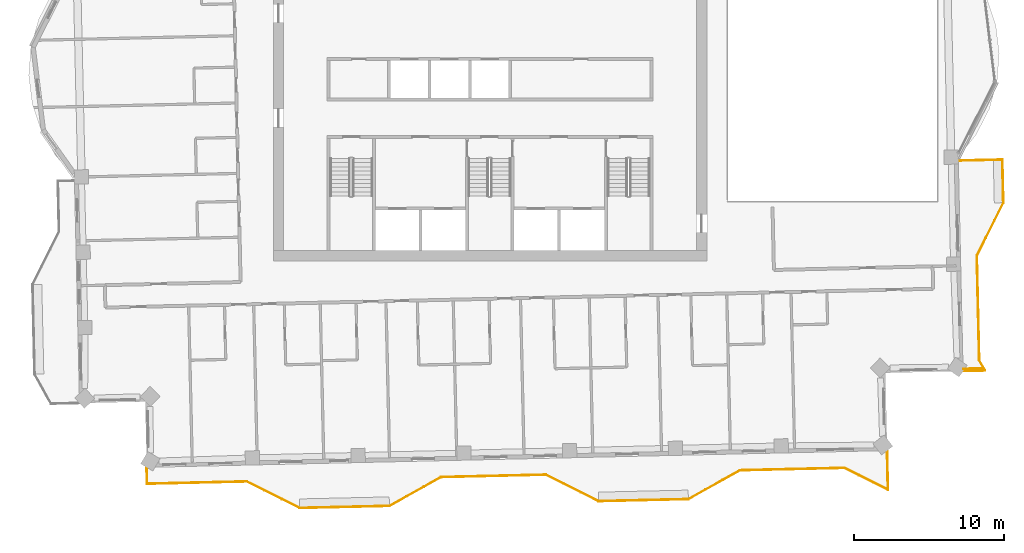
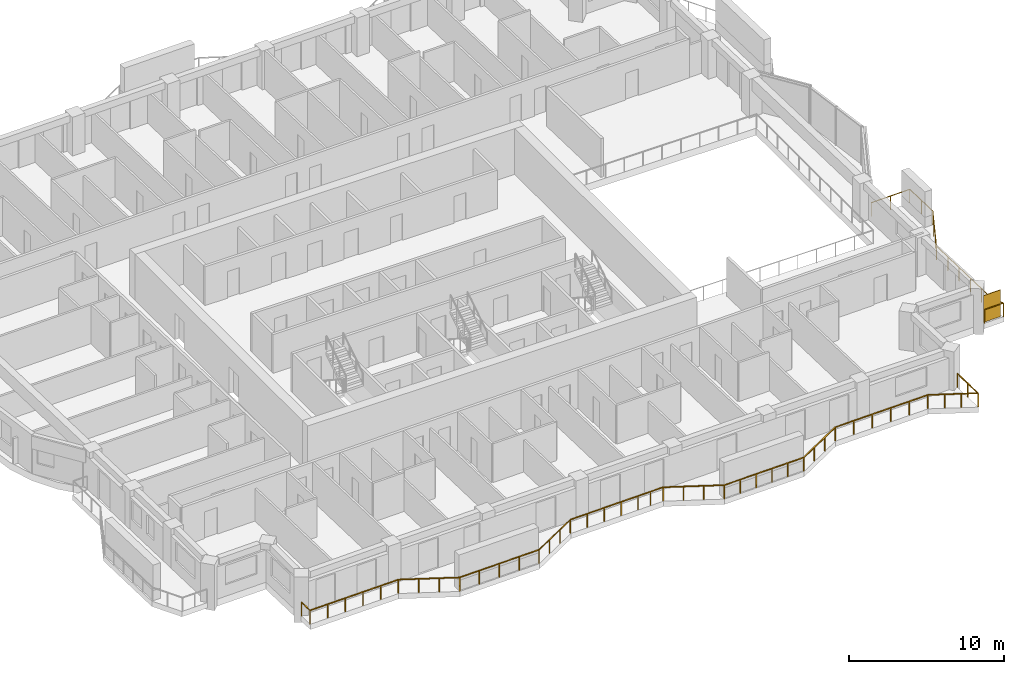
# One storey, part 16 of 18: 2 railings, 1 shading device.
"""IFC4 building model written with IfcOpenShell, lengths in metres."""

from ifc_helpers import new_model, si_unit, direction, frame, origin, origin_2d, place, context, subcontext, project, spatial, rectangle, extrude, material, type_object, element, save


model = new_model("IFC4")

# Units and contexts
model_context = context("Model", 3, precision=1e-05, world=origin(), true_north=direction((0.0, 1.0)))
body_context = subcontext(model_context, "Body", "Model", "MODEL_VIEW")
ifc_project = project(units=[si_unit("LENGTHUNIT", "METRE"), si_unit("AREAUNIT", "SQUARE_METRE"), si_unit("VOLUMEUNIT", "CUBIC_METRE"), si_unit("PLANEANGLEUNIT", "RADIAN"), si_unit("MASSUNIT", "GRAM", prefix="KILO")], contexts=[model_context])

# Site, building, storey
site_placement = place(None, origin())
site = spatial("IfcSite", under=ifc_project, at=site_placement, CompositionType="ELEMENT")
building_placement = place(site_placement, origin())
building = spatial("IfcBuilding", under=site, at=building_placement, Name="Mangrove Gate Tower", CompositionType="ELEMENT")
storey_placement = place(building_placement, frame((0.0, 0.0, 290.699951171875)))
storey = spatial("IfcBuildingStorey", under=building, at=storey_placement, Name="L74", CompositionType="ELEMENT", Elevation=290.699951171875)

# Railings
ifc_material_1 = material(Name="Stainless steel grade 316 with laminated glass infill", Category="steel")
railing_type = type_object("IfcRailingType", Name="Balcony guard 1100", PredefinedType="GUARDRAIL", material=ifc_material_1)
railing_1_placement = place(storey_placement, frame((31.680908203125, -18.873046875, 0.0)))
element("IfcRailing", 1, at=railing_1_placement, inside=storey, type_object=railing_type, Name="GUARD L74 E1", PredefinedType="GUARDRAIL", context=body_context, shape_type="SweptSolid", body=[
    extrude(rectangle(XDim=0.048095703125, YDim=0.048095703125, at=origin_2d()), frame((0.0, 0.0, 1.076171875), z_axis=(0.99973456031, 0.023039290823, 0.0), x_axis=(-0.023039290823, 0.99973456031, 0.0)), (0.0, 0.0, 1.0), 1.4306640625),
    extrude(rectangle(XDim=0.048095703125, YDim=0.048095703125, at=origin_2d()), frame((1.43017578125, 0.032958984375, 1.076171875), z_axis=(-0.487579417205, 0.873078640168, 0.0), x_axis=(-0.873078640168, -0.487579417205, 0.0)), (0.0, 0.0, 1.0), 0.791748046875),
    extrude(rectangle(XDim=0.048095703125, YDim=0.048095703125, at=origin_2d()), frame((1.044189453125, 0.72412109375, 1.076171875), z_axis=(-0.022740419861, 0.999741403216, 0.0), x_axis=(-0.999741403216, -0.022740419861, 0.0)), (0.0, 0.0, 1.0), 6.999755859375),
    extrude(rectangle(XDim=0.048095703125, YDim=0.048095703125, at=origin_2d()), frame((0.885009765625, 7.72216796875, 1.076171875), z_axis=(0.447139584658, 0.894464192593, 0.0), x_axis=(-0.894464192593, 0.447139584658, 0.0)), (0.0, 0.0, 1.0), 3.95849609375),
    extrude(rectangle(XDim=0.048095703125, YDim=0.048095703125, at=origin_2d()), frame((2.655029296875, 11.262939453125, 1.076171875), z_axis=(-0.022590224177, 0.999744808324, 0.0), x_axis=(-0.999744808324, -0.022590224177, 0.0)), (0.0, 0.0, 1.0), 2.874755859375),
    extrude(rectangle(XDim=0.048095703125, YDim=0.048095703125, at=origin_2d()), frame((2.590087890625, 14.136962890625, 1.076171875), z_axis=(-0.999743349437, -0.022654696127, 0.0), x_axis=(0.022654696127, -0.999743349437, 0.0)), (0.0, 0.0, 1.0), 2.90966796875),
    extrude(rectangle(XDim=0.0419921875, YDim=0.0419921875, at=origin_2d()), origin(), (0.0, 0.0, 1.0), 1.052001953125),
    extrude(rectangle(XDim=0.0419921875, YDim=0.0419921875, at=origin_2d()), frame((1.43017578125, 0.032958984375, 0.0)), (0.0, 0.0, 1.0), 1.052001953125),
    extrude(rectangle(XDim=0.0419921875, YDim=0.0419921875, at=origin_2d()), frame((1.044189453125, 0.72412109375, 0.0)), (0.0, 0.0, 1.0), 1.052001953125),
    extrude(rectangle(XDim=0.0419921875, YDim=0.0419921875, at=origin_2d()), frame((1.012451171875, 2.123779296875, 0.0)), (0.0, 0.0, 1.0), 1.052001953125),
    extrude(rectangle(XDim=0.0419921875, YDim=0.0419921875, at=origin_2d()), frame((0.98046875, 3.5234375, 0.0)), (0.0, 0.0, 1.0), 1.052001953125),
    extrude(rectangle(XDim=0.0419921875, YDim=0.0419921875, at=origin_2d()), frame((0.94873046875, 4.9228515625, 0.0)), (0.0, 0.0, 1.0), 1.052001953125),
    extrude(rectangle(XDim=0.0419921875, YDim=0.0419921875, at=origin_2d()), frame((0.916748046875, 6.322509765625, 0.0)), (0.0, 0.0, 1.0), 1.052001953125),
    extrude(rectangle(XDim=0.0419921875, YDim=0.0419921875, at=origin_2d()), frame((0.885009765625, 7.72216796875, 0.0)), (0.0, 0.0, 1.0), 1.052001953125),
    extrude(rectangle(XDim=0.0419921875, YDim=0.0419921875, at=origin_2d()), frame((1.47509765625, 8.90234375, 0.0)), (0.0, 0.0, 1.0), 1.052001953125),
    extrude(rectangle(XDim=0.0419921875, YDim=0.0419921875, at=origin_2d()), frame((2.06494140625, 10.082763671875, 0.0)), (0.0, 0.0, 1.0), 1.052001953125),
    extrude(rectangle(XDim=0.0419921875, YDim=0.0419921875, at=origin_2d()), frame((2.655029296875, 11.262939453125, 0.0)), (0.0, 0.0, 1.0), 1.052001953125),
    extrude(rectangle(XDim=0.0419921875, YDim=0.0419921875, at=origin_2d()), frame((2.62255859375, 12.699951171875, 0.0)), (0.0, 0.0, 1.0), 1.052001953125),
    extrude(rectangle(XDim=0.0419921875, YDim=0.0419921875, at=origin_2d()), frame((2.590087890625, 14.136962890625, 0.0)), (0.0, 0.0, 1.0), 1.052001953125),
    extrude(rectangle(XDim=0.0419921875, YDim=0.0419921875, at=origin_2d()), frame((1.1357421875, 14.10400390625, 0.0)), (0.0, 0.0, 1.0), 1.052001953125),
    extrude(rectangle(XDim=0.0419921875, YDim=0.0419921875, at=origin_2d()), frame((-0.31884765625, 14.071044921875, 0.0)), (0.0, 0.0, 1.0), 1.052001953125),
])
railing_2_placement = place(storey_placement, frame((-22.9619140625, -25.35400390625, 0.0)))
element("IfcRailing", 2, at=railing_2_placement, inside=storey, type_object=railing_type, Name="GUARD L74 S1", PredefinedType="GUARDRAIL", context=body_context, shape_type="SweptSolid", body=[
    extrude(rectangle(XDim=0.048095703125, YDim=0.048095703125, at=origin_2d()), frame((0.0, 0.0, 1.076171875), z_axis=(0.022564497502, -0.999745389313, 0.0), x_axis=(0.999745389313, 0.022564497502, 0.0)), (0.0, 0.0, 1.0), 1.060302734375),
    extrude(rectangle(XDim=0.048095703125, YDim=0.048095703125, at=origin_2d()), frame((0.02392578125, -1.06005859375, 1.076171875), z_axis=(0.999743194574, 0.022661529129, 0.0), x_axis=(-0.022661529129, 0.999743194574, 0.0)), (0.0, 0.0, 1.0), 6.668701171875),
    extrude(rectangle(XDim=0.048095703125, YDim=0.048095703125, at=origin_2d()), frame((6.69091796875, -0.908935546875, 1.076171875), z_axis=(0.894476522376, -0.447114919141, 0.0), x_axis=(0.447114919141, 0.894476522376, 0.0)), (0.0, 0.0, 1.0), 3.958740234375),
    extrude(rectangle(XDim=0.048095703125, YDim=0.048095703125, at=origin_2d()), frame((10.23193359375, -2.678955078125, 1.076171875), z_axis=(0.999743094499, 0.022665943652, 0.0), x_axis=(-0.022665943652, 0.999743094499, 0.0)), (0.0, 0.0, 1.0), 5.99951171875),
    extrude(rectangle(XDim=0.048095703125, YDim=0.048095703125, at=origin_2d()), frame((16.22998046875, -2.54296875, 1.076171875), z_axis=(0.87325689943, 0.48726008209, 0.0), x_axis=(-0.48726008209, 0.87325689943, 0.0)), (0.0, 0.0, 1.0), 3.958740234375),
    extrude(rectangle(XDim=0.048095703125, YDim=0.048095703125, at=origin_2d()), frame((19.68701171875, -0.614013671875, 1.076171875), z_axis=(0.999741464718, 0.02273771586, 0.0), x_axis=(-0.02273771586, 0.999741464718, 0.0)), (0.0, 0.0, 1.0), 5.10009765625),
    extrude(rectangle(XDim=0.048095703125, YDim=0.048095703125, at=origin_2d()), frame((24.785888671875, -0.498046875, 1.076171875), z_axis=(0.999744086778, 0.022622134131, 0.0), x_axis=(-0.022622134131, 0.999744086778, 0.0)), (0.0, 0.0, 1.0), 1.8994140625),
    extrude(rectangle(XDim=0.048095703125, YDim=0.048095703125, at=origin_2d()), frame((26.684814453125, -0.455078125, 1.076171875), z_axis=(0.894476522376, -0.447114919141, 0.0), x_axis=(0.447114919141, 0.894476522376, 0.0)), (0.0, 0.0, 1.0), 3.958740234375),
    extrude(rectangle(XDim=0.048095703125, YDim=0.048095703125, at=origin_2d()), frame((30.225830078125, -2.22509765625, 1.076171875), z_axis=(0.999743178102, 0.022662255828, 0.0), x_axis=(-0.022662255828, 0.999743178102, 0.0)), (0.0, 0.0, 1.0), 6.00048828125),
    extrude(rectangle(XDim=0.048095703125, YDim=0.048095703125, at=origin_2d()), frame((36.224853515625, -2.089111328125, 1.076171875), z_axis=(0.873230657876, 0.487307108654, 0.0), x_axis=(-0.487307108654, 0.873230657876, 0.0)), (0.0, 0.0, 1.0), 3.958984375),
    extrude(rectangle(XDim=0.048095703125, YDim=0.048095703125, at=origin_2d()), frame((39.681884765625, -0.159912109375, 1.076171875), z_axis=(0.999742195543, 0.022705559911, 0.0), x_axis=(-0.022705559911, 0.999742195543, 0.0)), (0.0, 0.0, 1.0), 6.999755859375),
    extrude(rectangle(XDim=0.048095703125, YDim=0.048095703125, at=origin_2d()), frame((46.679931640625, -0.0009765625, 1.076171875), z_axis=(0.894442239576, -0.447183497081, 0.0), x_axis=(0.447183497081, 0.894442239576, 0.0)), (0.0, 0.0, 1.0), 3.24462890625),
    extrude(rectangle(XDim=0.048095703125, YDim=0.048095703125, at=origin_2d()), frame((49.58203125, -1.451904296875, 1.076171875), z_axis=(-0.022551366995, 0.999745685585, 0.0), x_axis=(-0.999745685585, -0.022551366995, 0.0)), (0.0, 0.0, 1.0), 2.57666015625),
    extrude(rectangle(XDim=0.0419921875, YDim=0.0419921875, at=origin_2d()), origin(), (0.0, 0.0, 1.0), 1.052001953125),
    extrude(rectangle(XDim=0.0419921875, YDim=0.0419921875, at=origin_2d()), frame((0.02392578125, -1.06005859375, 0.0)), (0.0, 0.0, 1.0), 1.052001953125),
    extrude(rectangle(XDim=0.0419921875, YDim=0.0419921875, at=origin_2d()), frame((1.357421875, -1.02978515625, 0.0)), (0.0, 0.0, 1.0), 1.052001953125),
    extrude(rectangle(XDim=0.0419921875, YDim=0.0419921875, at=origin_2d()), frame((2.690673828125, -0.99951171875, 0.0)), (0.0, 0.0, 1.0), 1.052001953125),
    extrude(rectangle(XDim=0.0419921875, YDim=0.0419921875, at=origin_2d()), frame((4.024169921875, -0.969482421875, 0.0)), (0.0, 0.0, 1.0), 1.052001953125),
    extrude(rectangle(XDim=0.0419921875, YDim=0.0419921875, at=origin_2d()), frame((5.357421875, -0.939208984375, 0.0)), (0.0, 0.0, 1.0), 1.052001953125),
    extrude(rectangle(XDim=0.0419921875, YDim=0.0419921875, at=origin_2d()), frame((6.69091796875, -0.908935546875, 0.0)), (0.0, 0.0, 1.0), 1.052001953125),
    extrude(rectangle(XDim=0.0419921875, YDim=0.0419921875, at=origin_2d()), frame((7.871337890625, -1.4990234375, 0.0)), (0.0, 0.0, 1.0), 1.052001953125),
    extrude(rectangle(XDim=0.0419921875, YDim=0.0419921875, at=origin_2d()), frame((9.051513671875, -2.0888671875, 0.0)), (0.0, 0.0, 1.0), 1.052001953125),
    extrude(rectangle(XDim=0.0419921875, YDim=0.0419921875, at=origin_2d()), frame((10.23193359375, -2.678955078125, 0.0)), (0.0, 0.0, 1.0), 1.052001953125),
    extrude(rectangle(XDim=0.0419921875, YDim=0.0419921875, at=origin_2d()), frame((11.7314453125, -2.64501953125, 0.0)), (0.0, 0.0, 1.0), 1.052001953125),
    extrude(rectangle(XDim=0.0419921875, YDim=0.0419921875, at=origin_2d()), frame((13.23095703125, -2.61083984375, 0.0)), (0.0, 0.0, 1.0), 1.052001953125),
    extrude(rectangle(XDim=0.0419921875, YDim=0.0419921875, at=origin_2d()), frame((14.73046875, -2.576904296875, 0.0)), (0.0, 0.0, 1.0), 1.052001953125),
    extrude(rectangle(XDim=0.0419921875, YDim=0.0419921875, at=origin_2d()), frame((16.22998046875, -2.54296875, 0.0)), (0.0, 0.0, 1.0), 1.052001953125),
    extrude(rectangle(XDim=0.0419921875, YDim=0.0419921875, at=origin_2d()), frame((17.38232421875, -1.89990234375, 0.0)), (0.0, 0.0, 1.0), 1.052001953125),
    extrude(rectangle(XDim=0.0419921875, YDim=0.0419921875, at=origin_2d()), frame((18.53466796875, -1.257080078125, 0.0)), (0.0, 0.0, 1.0), 1.052001953125),
    extrude(rectangle(XDim=0.0419921875, YDim=0.0419921875, at=origin_2d()), frame((19.68701171875, -0.614013671875, 0.0)), (0.0, 0.0, 1.0), 1.052001953125),
    extrude(rectangle(XDim=0.0419921875, YDim=0.0419921875, at=origin_2d()), frame((20.961669921875, -0.5849609375, 0.0)), (0.0, 0.0, 1.0), 1.052001953125),
    extrude(rectangle(XDim=0.0419921875, YDim=0.0419921875, at=origin_2d()), frame((22.236328125, -0.55615234375, 0.0)), (0.0, 0.0, 1.0), 1.052001953125),
    extrude(rectangle(XDim=0.0419921875, YDim=0.0419921875, at=origin_2d()), frame((23.51123046875, -0.527099609375, 0.0)), (0.0, 0.0, 1.0), 1.052001953125),
    extrude(rectangle(XDim=0.0419921875, YDim=0.0419921875, at=origin_2d()), frame((24.785888671875, -0.498046875, 0.0)), (0.0, 0.0, 1.0), 1.052001953125),
    extrude(rectangle(XDim=0.0419921875, YDim=0.0419921875, at=origin_2d()), frame((25.7353515625, -0.4765625, 0.0)), (0.0, 0.0, 1.0), 1.052001953125),
    extrude(rectangle(XDim=0.0419921875, YDim=0.0419921875, at=origin_2d()), frame((26.684814453125, -0.455078125, 0.0)), (0.0, 0.0, 1.0), 1.052001953125),
    extrude(rectangle(XDim=0.0419921875, YDim=0.0419921875, at=origin_2d()), frame((27.865234375, -1.045166015625, 0.0)), (0.0, 0.0, 1.0), 1.052001953125),
    extrude(rectangle(XDim=0.0419921875, YDim=0.0419921875, at=origin_2d()), frame((29.04541015625, -1.635009765625, 0.0)), (0.0, 0.0, 1.0), 1.052001953125),
    extrude(rectangle(XDim=0.0419921875, YDim=0.0419921875, at=origin_2d()), frame((30.225830078125, -2.22509765625, 0.0)), (0.0, 0.0, 1.0), 1.052001953125),
    extrude(rectangle(XDim=0.0419921875, YDim=0.0419921875, at=origin_2d()), frame((31.425537109375, -2.197998046875, 0.0)), (0.0, 0.0, 1.0), 1.052001953125),
    extrude(rectangle(XDim=0.0419921875, YDim=0.0419921875, at=origin_2d()), frame((32.62548828125, -2.170654296875, 0.0)), (0.0, 0.0, 1.0), 1.052001953125),
    extrude(rectangle(XDim=0.0419921875, YDim=0.0419921875, at=origin_2d()), frame((33.8251953125, -2.1435546875, 0.0)), (0.0, 0.0, 1.0), 1.052001953125),
    extrude(rectangle(XDim=0.0419921875, YDim=0.0419921875, at=origin_2d()), frame((35.025146484375, -2.1162109375, 0.0)), (0.0, 0.0, 1.0), 1.052001953125),
    extrude(rectangle(XDim=0.0419921875, YDim=0.0419921875, at=origin_2d()), frame((36.224853515625, -2.089111328125, 0.0)), (0.0, 0.0, 1.0), 1.052001953125),
    extrude(rectangle(XDim=0.0419921875, YDim=0.0419921875, at=origin_2d()), frame((37.377197265625, -1.446044921875, 0.0)), (0.0, 0.0, 1.0), 1.052001953125),
    extrude(rectangle(XDim=0.0419921875, YDim=0.0419921875, at=origin_2d()), frame((38.529541015625, -0.802978515625, 0.0)), (0.0, 0.0, 1.0), 1.052001953125),
    extrude(rectangle(XDim=0.0419921875, YDim=0.0419921875, at=origin_2d()), frame((39.681884765625, -0.159912109375, 0.0)), (0.0, 0.0, 1.0), 1.052001953125),
    extrude(rectangle(XDim=0.0419921875, YDim=0.0419921875, at=origin_2d()), frame((41.08154296875, -0.128173828125, 0.0)), (0.0, 0.0, 1.0), 1.052001953125),
    extrude(rectangle(XDim=0.0419921875, YDim=0.0419921875, at=origin_2d()), frame((42.481201171875, -0.096435546875, 0.0)), (0.0, 0.0, 1.0), 1.052001953125),
    extrude(rectangle(XDim=0.0419921875, YDim=0.0419921875, at=origin_2d()), frame((43.880615234375, -0.064453125, 0.0)), (0.0, 0.0, 1.0), 1.052001953125),
    extrude(rectangle(XDim=0.0419921875, YDim=0.0419921875, at=origin_2d()), frame((45.2802734375, -0.03271484375, 0.0)), (0.0, 0.0, 1.0), 1.052001953125),
    extrude(rectangle(XDim=0.0419921875, YDim=0.0419921875, at=origin_2d()), frame((46.679931640625, -0.0009765625, 0.0)), (0.0, 0.0, 1.0), 1.052001953125),
    extrude(rectangle(XDim=0.0419921875, YDim=0.0419921875, at=origin_2d()), frame((47.647216796875, -0.484619140625, 0.0)), (0.0, 0.0, 1.0), 1.052001953125),
    extrude(rectangle(XDim=0.0419921875, YDim=0.0419921875, at=origin_2d()), frame((48.61474609375, -0.96826171875, 0.0)), (0.0, 0.0, 1.0), 1.052001953125),
    extrude(rectangle(XDim=0.0419921875, YDim=0.0419921875, at=origin_2d()), frame((49.58203125, -1.451904296875, 0.0)), (0.0, 0.0, 1.0), 1.052001953125),
    extrude(rectangle(XDim=0.0419921875, YDim=0.0419921875, at=origin_2d()), frame((49.552978515625, -0.1640625, 0.0)), (0.0, 0.0, 1.0), 1.052001953125),
    extrude(rectangle(XDim=0.0419921875, YDim=0.0419921875, at=origin_2d()), frame((49.52392578125, 1.1240234375, 0.0)), (0.0, 0.0, 1.0), 1.052001953125),
])

# Shading device
ifc_material_2 = material(Name="Timber slat screen in teak", Category="wood")
shading_device_type = type_object("IfcShadingDeviceType", Name="Balcony screen 2100", PredefinedType="USERDEFINED", material=ifc_material_2)
shading_device_placement = place(storey_placement, frame((32.31298828125, -18.718017578125, 0.0), z_axis=(0.0, 0.0, 1.0), x_axis=(0.999731402821, 0.02317589725, 0.0)))
element("IfcShadingDevice", 3, at=shading_device_placement, inside=storey, type_object=shading_device_type, Name="SCREEN L74 E0", ObjectType="SCREEN", PredefinedType="USERDEFINED", context=body_context, shape_type="SweptSolid", body=[
    extrude(rectangle(XDim=1.31005859375, YDim=0.050048828125, at=origin_2d()), origin(), (0.0, 0.0, 1.0), 2.10009765625),
])

save(model, "model.ifc")
